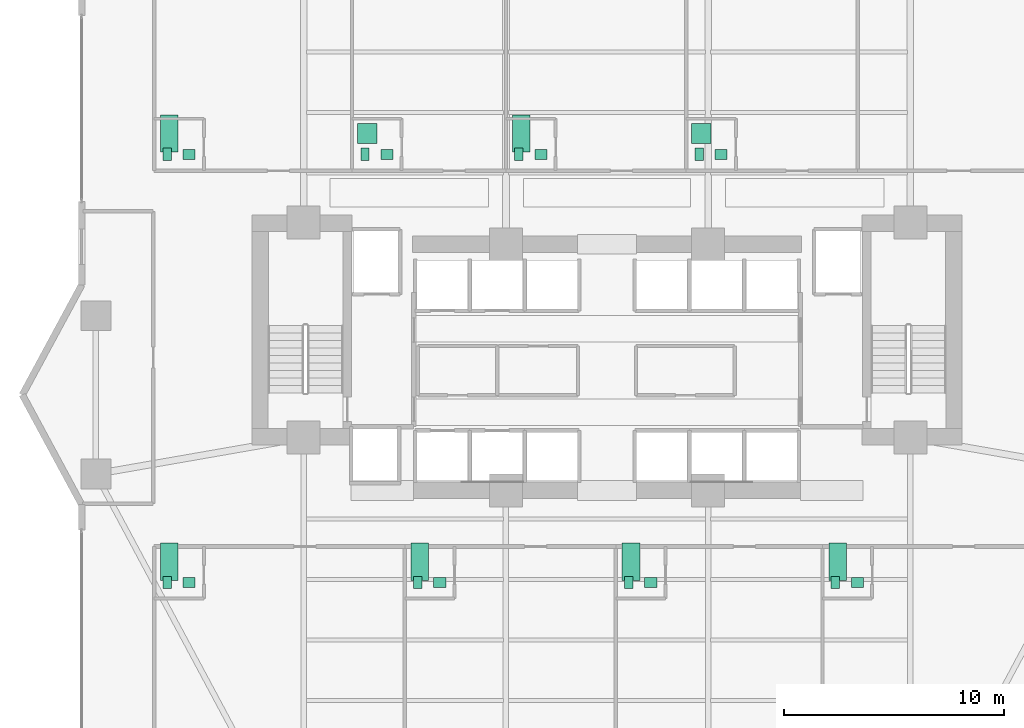
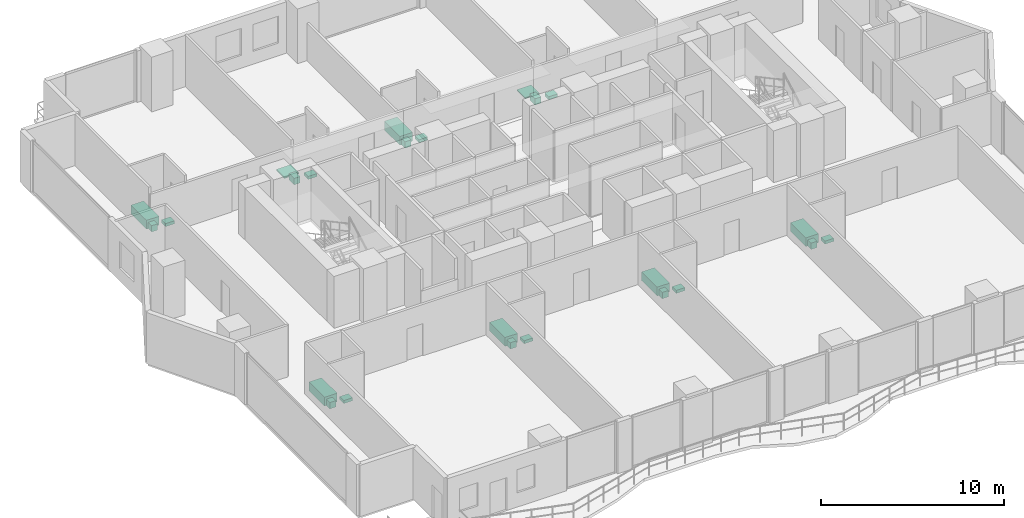
# One storey, part 27 of 27: 24 sanitary terminals.
"""IFC4 building model written with IfcOpenShell, lengths in metres."""

from ifc_helpers import new_model, si_unit, direction, frame, origin, origin_2d, place, context, subcontext, project, spatial, rectangle, extrude, material, type_object, element, save


model = new_model("IFC4")

# Units and contexts
model_context = context("Model", 3, precision=1e-05, world=origin(), true_north=direction((0.0, 1.0)))
body_context = subcontext(model_context, "Body", "Model", "MODEL_VIEW")
ifc_project = project(units=[si_unit("LENGTHUNIT", "METRE"), si_unit("AREAUNIT", "SQUARE_METRE"), si_unit("VOLUMEUNIT", "CUBIC_METRE"), si_unit("PLANEANGLEUNIT", "RADIAN"), si_unit("MASSUNIT", "GRAM", prefix="KILO")], contexts=[model_context])

# Site, building, storey
site_placement = place(None, origin())
site = spatial("IfcSite", under=ifc_project, at=site_placement, CompositionType="ELEMENT")
building_placement = place(site_placement, origin())
building = spatial("IfcBuilding", under=site, at=building_placement, Name="Zuhayl Quay Hotel", CompositionType="ELEMENT")
storey_placement = place(building_placement, frame((0.0, 0.0, 124.85009765625)))
storey = spatial("IfcBuildingStorey", under=building, at=storey_placement, Name="L31", CompositionType="ELEMENT", Elevation=124.85009765625)

# Sanitary terminals
ifc_material = material(Name="Vitreous Porcelain Sanitaryware")
sanitary_terminal_type_1 = type_object("IfcSanitaryTerminalType", Name="SAN_BASIN", PredefinedType="WASHHANDBASIN", material=ifc_material)
for number, where, z_axis, x_axis, name in (
    (1, (-19.010009765625, 17.43994140625, 0.0), (0.0, 0.0, 1.0), (1.0, 0.0, 0.0), "L31 Sanitary Fixture WASHHANDBASIN"),
    (2, (-10.010009765625, 17.43994140625, 0.0), (0.0, 0.0, 1.0), (1.0, 0.0, 0.0), "L31 Sanitary Fixture WASHHANDBASIN"),
    (3, (-3.010009765625, 17.43994140625, 0.0), (0.0, 0.0, 1.0), (1.0, 0.0, 0.0), "L31 Sanitary Fixture WASHHANDBASIN"),
    (4, (5.18994140625, 17.43994140625, 0.0), (0.0, 0.0, 1.0), (1.0, 0.0, 0.0), "L31 Sanitary Fixture WASHHANDBASIN"),
    (5, (-19.010009765625, -2.0400390625, 0.0), (0.0, 0.0, 1.0), (1.0, 0.0, 0.0), "L31 Sanitary Fixture WASHHANDBASIN"),
    (6, (-7.610107421875, -2.0400390625, 0.0), (0.0, 0.0, 1.0), (1.0, 0.0, 0.0), "L31 Sanitary Fixture WASHHANDBASIN"),
    (7, (1.989990234375, -2.0400390625, 0.0), (0.0, 0.0, 1.0), (1.0, 0.0, 0.0), "L31 Sanitary Fixture WASHHANDBASIN"),
    (8, (11.389892578125, -2.0400390625, 0.0), (0.0, 0.0, 1.0), (1.0, 0.0, 0.0), "L31 Sanitary Fixture WASHHANDBASIN"),
):
    element("IfcSanitaryTerminal", number, at=place(storey_placement, frame(where, z_axis=z_axis, x_axis=x_axis)), inside=storey, type_object=sanitary_terminal_type_1, Name=name, PredefinedType="WASHHANDBASIN", context=body_context, shape_type="SweptSolid", body=[
        extrude(rectangle(XDim=0.550048828125, YDim=0.449951171875, at=origin_2d()), origin(), (0.0, 0.0, 1.0), 0.199951171875),
    ])
sanitary_terminal_type_2 = type_object("IfcSanitaryTerminalType", Name="SAN_BATH", PredefinedType="BATH", material=ifc_material)
for number, where, z_axis, x_axis, name in (
    (9, (-19.909912109375, 18.389892578125, -0.000244140625), (0.0, 0.0, 1.0), (1.0, 0.0, 0.0), "L31 Sanitary Fixture BATH"),
    (10, (-3.909912109375, 18.389892578125, -0.000244140625), (0.0, 0.0, 1.0), (1.0, 0.0, 0.0), "L31 Sanitary Fixture BATH"),
    (11, (-19.909912109375, -1.090087890625, -0.000244140625), (0.0, 0.0, 1.0), (1.0, 0.0, 0.0), "L31 Sanitary Fixture BATH"),
    (12, (-8.510009765625, -1.090087890625, -0.000244140625), (0.0, 0.0, 1.0), (1.0, 0.0, 0.0), "L31 Sanitary Fixture BATH"),
    (13, (1.090087890625, -1.090087890625, -0.000244140625), (0.0, 0.0, 1.0), (1.0, 0.0, 0.0), "L31 Sanitary Fixture BATH"),
    (14, (10.489990234375, -1.090087890625, -0.000244140625), (0.0, 0.0, 1.0), (1.0, 0.0, 0.0), "L31 Sanitary Fixture BATH"),
):
    element("IfcSanitaryTerminal", number, at=place(storey_placement, frame(where, z_axis=z_axis, x_axis=x_axis)), inside=storey, type_object=sanitary_terminal_type_2, Name=name, PredefinedType="BATH", context=body_context, shape_type="SweptSolid", body=[
        extrude(rectangle(XDim=0.800048828125, YDim=1.699951171875, at=origin_2d()), origin(), (0.0, 0.0, 1.0), 0.580078125),
    ])
sanitary_terminal_type_3 = type_object("IfcSanitaryTerminalType", Name="SAN_SHOWER", PredefinedType="SHOWER", material=ifc_material)
for number, where, z_axis, x_axis, name in (
    (15, (-10.909912109375, 18.389892578125, -0.000244140625), (0.0, 0.0, 1.0), (1.0, 0.0, 0.0), "L31 Sanitary Fixture SHOWER"),
    (16, (4.2900390625, 18.389892578125, -0.000244140625), (0.0, 0.0, 1.0), (1.0, 0.0, 0.0), "L31 Sanitary Fixture SHOWER"),
):
    element("IfcSanitaryTerminal", number, at=place(storey_placement, frame(where, z_axis=z_axis, x_axis=x_axis)), inside=storey, type_object=sanitary_terminal_type_3, Name=name, PredefinedType="SHOWER", context=body_context, shape_type="SweptSolid", body=[
        extrude(rectangle(XDim=0.89990234375, YDim=0.89990234375, at=origin_2d()), origin(), (0.0, 0.0, 1.0), 0.080078125),
    ])
sanitary_terminal_type_4 = type_object("IfcSanitaryTerminalType", Name="SAN_WC", PredefinedType="TOILETPAN", material=ifc_material)
for number, where, z_axis, x_axis, name in (
    (17, (-20.010009765625, 17.43994140625, 0.0), (0.0, 0.0, 1.0), (1.0, 0.0, 0.0), "L31 Sanitary Fixture TOILETPAN"),
    (18, (-11.010009765625, 17.43994140625, 0.0), (0.0, 0.0, 1.0), (1.0, 0.0, 0.0), "L31 Sanitary Fixture TOILETPAN"),
    (19, (-4.010009765625, 17.43994140625, 0.0), (0.0, 0.0, 1.0), (1.0, 0.0, 0.0), "L31 Sanitary Fixture TOILETPAN"),
    (20, (4.18994140625, 17.43994140625, 0.0), (0.0, 0.0, 1.0), (1.0, 0.0, 0.0), "L31 Sanitary Fixture TOILETPAN"),
    (21, (-20.010009765625, -2.0400390625, 0.0), (0.0, 0.0, 1.0), (1.0, 0.0, 0.0), "L31 Sanitary Fixture TOILETPAN"),
    (22, (-8.610107421875, -2.0400390625, 0.0), (0.0, 0.0, 1.0), (1.0, 0.0, 0.0), "L31 Sanitary Fixture TOILETPAN"),
    (23, (0.989990234375, -2.0400390625, 0.0), (0.0, 0.0, 1.0), (1.0, 0.0, 0.0), "L31 Sanitary Fixture TOILETPAN"),
    (24, (10.389892578125, -2.0400390625, 0.0), (0.0, 0.0, 1.0), (1.0, 0.0, 0.0), "L31 Sanitary Fixture TOILETPAN"),
):
    element("IfcSanitaryTerminal", number, at=place(storey_placement, frame(where, z_axis=z_axis, x_axis=x_axis)), inside=storey, type_object=sanitary_terminal_type_4, Name=name, PredefinedType="TOILETPAN", context=body_context, shape_type="SweptSolid", body=[
        extrude(rectangle(XDim=0.3798828125, YDim=0.56005859375, at=origin_2d()), origin(), (0.0, 0.0, 1.0), 0.419921875),
    ])

save(model, "model.ifc")
